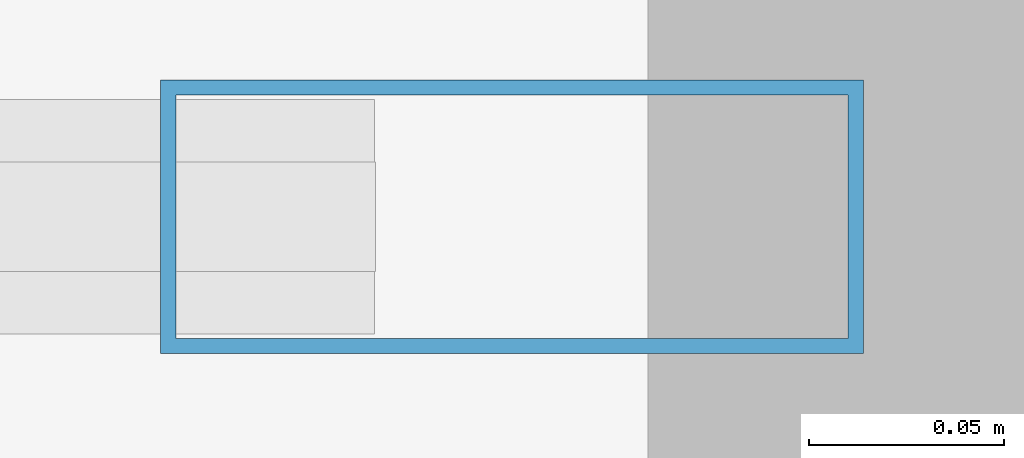
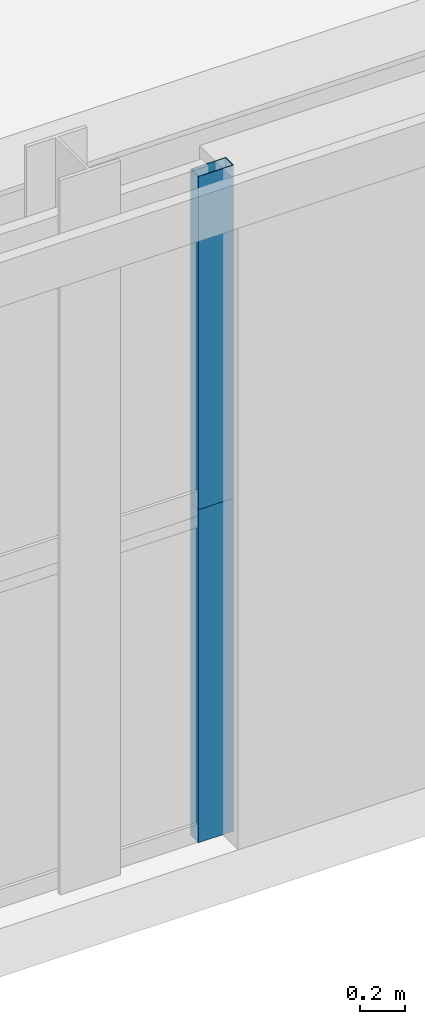
# One storey, part 18 of 26: 2 members, 2 elements without a shape of their own.
"""IFC4 building model written with IfcOpenShell, lengths in metres."""

from ifc_helpers import new_model, si_unit, direction, frame, origin, origin_2d, place, context, subcontext, project, spatial, hollow_rectangle, extrude, source, transform, mapped, material, layer, layer_set, material_profile, profile_set, type_object, element, aggregate, save


model = new_model("IFC4")

# Units and contexts
model_context = context("Model", 3, precision=1e-05, world=origin(), true_north=direction((0.0, 1.0)))
body_context = subcontext(model_context, "Body", "Model", "MODEL_VIEW")
ifc_project = project(units=[si_unit("LENGTHUNIT", "METRE"), si_unit("AREAUNIT", "SQUARE_METRE"), si_unit("VOLUMEUNIT", "CUBIC_METRE"), si_unit("PLANEANGLEUNIT", "RADIAN"), si_unit("MASSUNIT", "GRAM", prefix="KILO")], contexts=[model_context])

# Site, building, storey
site_placement = place(None, origin())
site = spatial("IfcSite", under=ifc_project, at=site_placement, CompositionType="ELEMENT")
building_placement = place(site_placement, origin())
building = spatial("IfcBuilding", under=site, at=building_placement, Name="Taldren Reach Tower", CompositionType="ELEMENT")
storey_placement = place(building_placement, frame((0.0, 0.0, 4.550048828125)))
storey = spatial("IfcBuildingStorey", under=building, at=storey_placement, Name="L01", CompositionType="ELEMENT", Elevation=4.550048828125)

# Curtain wall, member
ifc_material_1 = material(Name="Aluminium and Low-E Glass Unitised System", Category="aluminium")
ifc_layer = layer(ifc_material_1, 0.159912109375)
ifc_layer_set = layer_set([ifc_layer], Name="Aluminium and Low-E Glass Unitised System")
curtain_wall_type = type_object("IfcCurtainWallType", Name="CW-SYS-1", PredefinedType="NOTDEFINED", material=ifc_layer_set)
curtain_wall_1_placement = place(storey_placement, origin())
curtain_wall_1 = element("IfcCurtainWall", 1, at=curtain_wall_1_placement, inside=storey, type_object=curtain_wall_type, Name="Unitised curtain wall CW1-L01-S3", PredefinedType="NOTDEFINED")
ifc_material_2 = material(Name="Anodised Aluminium 6063-T6", Category="aluminium")
ifc_material_profile = material_profile(ifc_material_2, hollow_rectangle(XDim=0.070068359375, YDim=0.179931640625, WallThickness=0.00390625, at=origin_2d()), Name="ALU-180x70x4RHS")
ifc_profile_set = profile_set([ifc_material_profile], Name="Anodised Aluminium 6063-T6")
member_type = type_object("IfcMemberType", Name="CW-MUL-180", PredefinedType="MULLION", material=ifc_profile_set)
shared_shape = source(origin(), body_context, "Body", "SweptSolid", [
    extrude(hollow_rectangle(XDim=0.070068359375, YDim=0.179931640625, WallThickness=0.00390625, at=origin_2d()), origin(), (0.0, 0.0, 1.0), 1.794921875),
])
member_1_placement = place(storey_placement, frame((63.1650390625, 0.169921875, 0.0), z_axis=(0.0, 0.0, 1.0), x_axis=(0.0, 1.0, 0.0)))
member_1 = element("IfcMember", 2, at=member_1_placement, type_object=member_type, Name="CW-1 mullion 3", PredefinedType="MULLION", context=body_context, shape_type="MappedRepresentation", body=[
    mapped(shared_shape, transform((0.0, 0.0, 0.0), scale=1.0)),
])
aggregate(curtain_wall_1, [member_1])

curtain_wall_2_placement = place(storey_placement, origin())
curtain_wall_2 = element("IfcCurtainWall", 3, at=curtain_wall_2_placement, inside=storey, type_object=curtain_wall_type, Name="Unitised curtain wall CW1-L01-S3-T2", PredefinedType="NOTDEFINED")
member_2_placement = place(storey_placement, frame((63.1650390625, 0.169921875, 1.794921875), z_axis=(0.0, 0.0, 1.0), x_axis=(0.0, 1.0, 0.0)))
member_2 = element("IfcMember", 4, at=member_2_placement, type_object=member_type, Name="CW-1 mullion 3", PredefinedType="MULLION", context=body_context, shape_type="MappedRepresentation", body=[
    mapped(shared_shape, transform((0.0, 0.0, 0.0), scale=1.0)),
])
aggregate(curtain_wall_2, [member_2])

save(model, "model.ifc")
